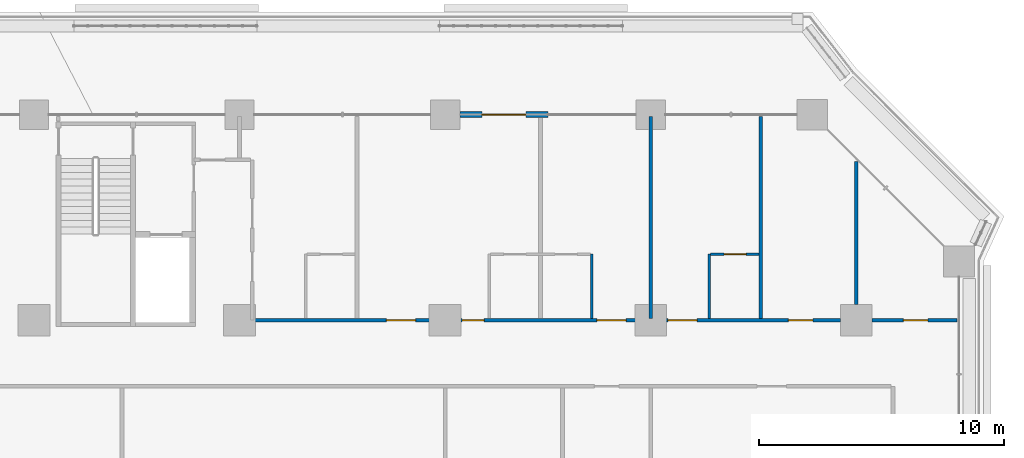
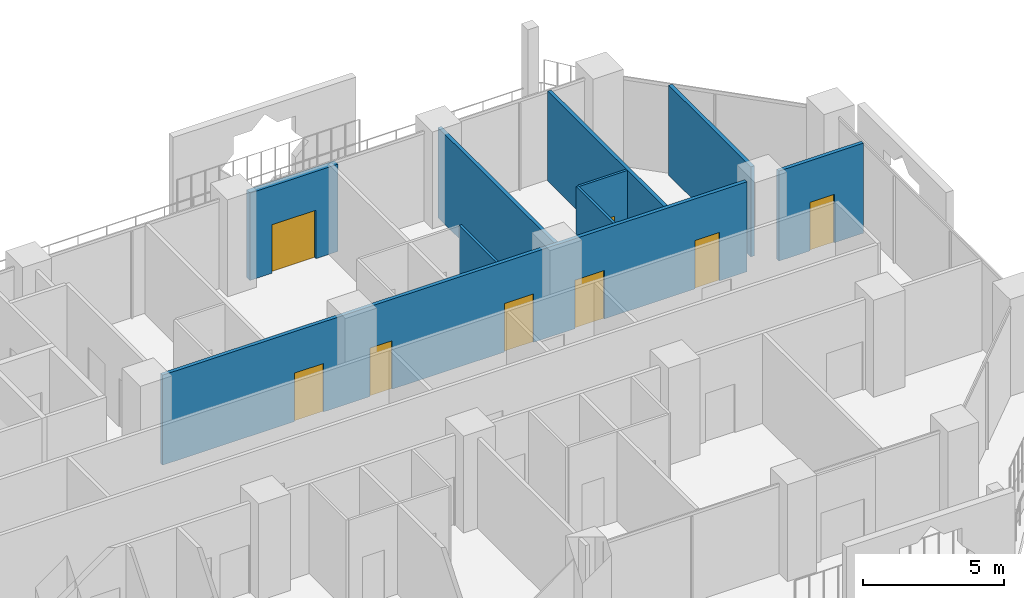
# One storey, part 19 of 28: 9 walls, 8 doors, 8 openings.
"""IFC4 building model written with IfcOpenShell, lengths in metres."""

from ifc_helpers import new_model, si_unit, direction, frame, frame_2d, origin, place, context, subcontext, project, spatial, rectangle, extrude, material, layer, layer_set, type_object, element, fill, save


model = new_model("IFC4")

# Units and contexts
model_context = context("Model", 3, precision=1e-05, world=origin(), true_north=direction((0.0, 1.0)))
body_context = subcontext(model_context, "Body", "Model", "MODEL_VIEW")
ifc_project = project(units=[si_unit("LENGTHUNIT", "METRE"), si_unit("AREAUNIT", "SQUARE_METRE"), si_unit("VOLUMEUNIT", "CUBIC_METRE"), si_unit("PLANEANGLEUNIT", "RADIAN"), si_unit("MASSUNIT", "GRAM", prefix="KILO")], contexts=[model_context])

# Site, building, storey
site_placement = place(None, origin())
site = spatial("IfcSite", under=ifc_project, at=site_placement, CompositionType="ELEMENT")
building_placement = place(site_placement, origin())
building = spatial("IfcBuilding", under=site, at=building_placement, Name="Kawkab Arch Medical Tower", CompositionType="ELEMENT")
storey_placement = place(building_placement, frame((0.0, 0.0, 56.0)))
storey = spatial("IfcBuildingStorey", under=building, at=storey_placement, Name="L12", CompositionType="ELEMENT", Elevation=56.0)

# Wall, opening, door
ifc_material_1 = material(Name="Bronze clad insulated wall panel")
ifc_layer_1 = layer(ifc_material_1, 0.25)
ifc_layer_set_1 = layer_set([ifc_layer_1], Name="Bronze clad insulated wall panel")
wall_type_1 = type_object("IfcWallType", Name="External wall bay 250", PredefinedType="SOLIDWALL", material=ifc_layer_set_1)
wall_1_placement = place(storey_placement, frame((63.0, 0.0, 0.0), z_axis=(0.0, 0.0, 1.0), x_axis=(-1.0, 0.0, 0.0)))
wall_1 = element("IfcWall", 1, at=wall_1_placement, inside=storey, type_object=wall_type_1, Name="External wall bay L12.R11.2.2", PredefinedType="SOLIDWALL", context=body_context, shape_type="SweptSolid", body=[
    extrude(rectangle(XDim=3.60009765625, YDim=0.25, at=frame_2d((1.800048828125, 0.0))), origin(), (0.0, 0.0, 1.0), 3.780029296875),
])
opening_1_placement = place(wall_1_placement, frame((0.89990234375, 0.0, 0.0)))
opening_1 = element("IfcOpeningElement", 2, at=opening_1_placement, cuts=wall_1, Name="Opening W12-702", PredefinedType="OPENING", context=body_context, shape_type="SweptSolid", body=[
    extrude(rectangle(XDim=1.800048828125, YDim=2.10009765625, at=frame_2d((0.89990234375, 1.050048828125))), frame((0.0, 0.135009765625, 0.0), z_axis=(0.0, -1.0, 0.0), x_axis=(1.0, 0.0, 0.0)), (0.0, 0.0, 1.0), 0.27001953125),
])
ifc_material_2 = material(Name="Bronze anodised aluminium door with tinted glass", Category="aluminium")
door_type_1 = type_object("IfcDoorType", Name="Double external door 1800 x 2100", OperationType="DOUBLE_DOOR_SINGLE_SWING", PredefinedType="DOOR", material=ifc_material_2)
door_1_placement = place(opening_1_placement, origin())
door_1 = element("IfcDoor", 3, at=door_1_placement, inside=storey, type_object=door_type_1, Name="External door L12.R11.2.2", OperationType="DOUBLE_DOOR_SINGLE_SWING", OverallHeight=2.10009765625, OverallWidth=1.800048828125, PredefinedType="DOOR", context=body_context, shape_type="SweptSolid", body=[
    extrude(rectangle(XDim=1.800048828125, YDim=2.10009765625, at=frame_2d((0.89990234375, 1.050048828125))), frame((0.0, 0.02490234375, 0.0), z_axis=(0.0, -1.0, 0.0), x_axis=(1.0, 0.0, 0.0)), (0.0, 0.0, 1.0), 0.050048828125),
])
fill(opening_1, door_1)

ifc_material_3 = material(Name="Gypsum board partition on steel studs", Category="steel")
ifc_layer_2 = layer(ifc_material_3, 0.10009765625)
ifc_layer_set_2 = layer_set([ifc_layer_2], Name="Gypsum board partition on steel studs")
wall_type_2 = type_object("IfcWallType", Name="Partition 100", PredefinedType="PARTITIONING", material=ifc_layer_set_2)
wall_2_placement = place(storey_placement, frame((69.64990234375, -5.699951171875, 0.0), z_axis=(0.0, 0.0, 1.0), x_axis=(1.0, 0.0, 0.0)))
wall_2 = element("IfcWall", 4, at=wall_2_placement, inside=storey, type_object=wall_type_2, Name="Partition 100 w018", PredefinedType="PARTITIONING", context=body_context, shape_type="SweptSolid", body=[
    extrude(rectangle(XDim=1.97509765625, YDim=0.10009765625, at=frame_2d((0.987548828125, 0.0))), origin(), (0.0, 0.0, 1.0), 3.89990234375),
])
opening_2_placement = place(wall_2_placement, frame((0.550048828125, 0.0, 0.0)))
opening_2 = element("IfcOpeningElement", 5, at=opening_2_placement, cuts=wall_2, Name="Opening W12-009", PredefinedType="OPENING", context=body_context, shape_type="SweptSolid", body=[
    extrude(rectangle(XDim=0.89990234375, YDim=2.10009765625, at=frame_2d((0.449951171875, 1.050048828125))), frame((0.0, 0.06005859375, 0.0), z_axis=(0.0, -1.0, 0.0), x_axis=(1.0, 0.0, 0.0)), (0.0, 0.0, 1.0), 0.1201171875),
])
ifc_material_4 = material(Name="Timber door leaf", Category="wood")
door_type_2 = type_object("IfcDoorType", Name="Single door 900x2100", OperationType="NOTDEFINED", PredefinedType="DOOR", material=ifc_material_4)
door_2_placement = place(opening_2_placement, origin())
door_2 = element("IfcDoor", 6, at=door_2_placement, inside=storey, type_object=door_type_2, Name="Door W12-009", OperationType="SINGLE_SWING_LEFT", OverallHeight=2.10009765625, OverallWidth=0.89990234375, PredefinedType="DOOR", context=body_context, shape_type="SweptSolid", body=[
    extrude(rectangle(XDim=0.89990234375, YDim=2.10009765625, at=frame_2d((0.449951171875, 1.050048828125))), frame((0.0, 0.02490234375, 0.0), z_axis=(0.0, -1.0, 0.0), x_axis=(1.0, 0.0, 0.0)), (0.0, 0.0, 1.0), 0.050048828125),
])
fill(opening_2, door_2)

# Walls
for number, where, z_axis, x_axis, name in (
    (7, (64.800048828125, -8.324951171875, 0.0), (0.0, 0.0, 1.0), (0.0, 1.0, 0.0), "Partition 100 w035"),
    (8, (69.60009765625, -8.324951171875, 0.0), (0.0, 0.0, 1.0), (0.0, 1.0, 0.0), "Partition 100 w037"),
):
    element("IfcWall", number, at=place(storey_placement, frame(where, z_axis=z_axis, x_axis=x_axis)), inside=storey, type_object=wall_type_2, Name=name, PredefinedType="PARTITIONING", context=body_context, shape_type="SweptSolid", body=[
        extrude(rectangle(XDim=2.625, YDim=0.10009765625, at=frame_2d((1.3125, 0.0))), origin(), (0.0, 0.0, 1.0), 3.89990234375),
    ])

# Wall, openings, doors
ifc_material_5 = material(Name="Gypsum board partition on steel studs, mineral wool", Category="steel")
ifc_layer_3 = layer(ifc_material_5, 0.14990234375)
ifc_layer_set_3 = layer_set([ifc_layer_3], Name="Gypsum board partition on steel studs, mineral wool")
wall_type_3 = type_object("IfcWallType", Name="Partition 150", PredefinedType="PARTITIONING", material=ifc_layer_set_3)
wall_3_placement = place(storey_placement, frame((51.0, -8.39990234375, 0.0), z_axis=(0.0, 0.0, 1.0), x_axis=(1.0, 0.0, 0.0)))
wall_3 = element("IfcWall", 9, at=wall_3_placement, inside=storey, type_object=wall_type_3, Name="Partition 150 w067", PredefinedType="PARTITIONING", context=body_context, shape_type="SweptSolid", body=[
    extrude(rectangle(XDim=23.949951171875, YDim=0.14990234375, at=frame_2d((11.97509765625, 0.0))), origin(), (0.0, 0.0, 1.0), 3.89990234375),
])
opening_3_placement = place(wall_3_placement, frame((5.39990234375, 0.0, 0.0)))
opening_3 = element("IfcOpeningElement", 10, at=opening_3_placement, cuts=wall_3, Name="Opening W12-050", PredefinedType="OPENING", context=body_context, shape_type="SweptSolid", body=[
    extrude(rectangle(XDim=1.199951171875, YDim=2.10009765625, at=frame_2d((0.60009765625, 1.050048828125))), frame((0.0, 0.0849609375, 0.0), z_axis=(0.0, -1.0, 0.0), x_axis=(1.0, 0.0, 0.0)), (0.0, 0.0, 1.0), 0.169921875),
])
opening_4_placement = place(wall_3_placement, frame((8.5, 0.0, 0.0)))
opening_4 = element("IfcOpeningElement", 11, at=opening_4_placement, cuts=wall_3, Name="Opening W12-025", PredefinedType="OPENING", context=body_context, shape_type="SweptSolid", body=[
    extrude(rectangle(XDim=0.89990234375, YDim=2.10009765625, at=frame_2d((0.449951171875, 1.050048828125))), frame((0.0, 0.0849609375, 0.0), z_axis=(0.0, -1.0, 0.0), x_axis=(1.0, 0.0, 0.0)), (0.0, 0.0, 1.0), 0.169921875),
])
opening_5_placement = place(wall_3_placement, frame((14.0, 0.0, 0.0)))
opening_5 = element("IfcOpeningElement", 12, at=opening_5_placement, cuts=wall_3, Name="Opening W12-051", PredefinedType="OPENING", context=body_context, shape_type="SweptSolid", body=[
    extrude(rectangle(XDim=1.199951171875, YDim=2.10009765625, at=frame_2d((0.60009765625, 1.050048828125))), frame((0.0, 0.0849609375, 0.0), z_axis=(0.0, -1.0, 0.0), x_axis=(1.0, 0.0, 0.0)), (0.0, 0.0, 1.0), 0.169921875),
])
opening_6_placement = place(wall_3_placement, frame((16.89990234375, 0.0, 0.0)))
opening_6 = element("IfcOpeningElement", 13, at=opening_6_placement, cuts=wall_3, Name="Opening W12-052", PredefinedType="OPENING", context=body_context, shape_type="SweptSolid", body=[
    extrude(rectangle(XDim=1.199951171875, YDim=2.10009765625, at=frame_2d((0.60009765625, 1.050048828125))), frame((0.0, 0.0849609375, 0.0), z_axis=(0.0, -1.0, 0.0), x_axis=(1.0, 0.0, 0.0)), (0.0, 0.0, 1.0), 0.169921875),
])
opening_7_placement = place(wall_3_placement, frame((21.824951171875, 0.0, 0.0)))
opening_7 = element("IfcOpeningElement", 14, at=opening_7_placement, cuts=wall_3, Name="Opening W12-030", PredefinedType="OPENING", context=body_context, shape_type="SweptSolid", body=[
    extrude(rectangle(XDim=1.0, YDim=2.10009765625, at=frame_2d((0.5, 1.050048828125))), frame((0.0, 0.0849609375, 0.0), z_axis=(0.0, -1.0, 0.0), x_axis=(1.0, 0.0, 0.0)), (0.0, 0.0, 1.0), 0.169921875),
])
ifc_material_6 = material(Name="Timber door leaf", Category="wood")
door_type_3 = type_object("IfcDoorType", Name="Single door 1000x2100", OperationType="NOTDEFINED", PredefinedType="DOOR", material=ifc_material_6)
door_3_placement = place(opening_7_placement, origin())
door_3 = element("IfcDoor", 15, at=door_3_placement, inside=storey, type_object=door_type_3, Name="Door W12-030", OperationType="SINGLE_SWING_RIGHT", OverallHeight=2.10009765625, OverallWidth=1.0, PredefinedType="DOOR", context=body_context, shape_type="SweptSolid", body=[
    extrude(rectangle(XDim=1.0, YDim=2.10009765625, at=frame_2d((0.5, 1.050048828125))), frame((0.0, 0.02490234375, 0.0), z_axis=(0.0, -1.0, 0.0), x_axis=(1.0, 0.0, 0.0)), (0.0, 0.0, 1.0), 0.050048828125),
])
fill(opening_7, door_3)
ifc_material_7 = material(Name="Hollow metal door leaf")
door_type_4 = type_object("IfcDoorType", Name="Single door 1200x2100 FD30S", OperationType="NOTDEFINED", PredefinedType="DOOR", material=ifc_material_7)
door_4_placement = place(opening_3_placement, origin())
door_4 = element("IfcDoor", 16, at=door_4_placement, inside=storey, type_object=door_type_4, Name="Door W12-050", OperationType="SINGLE_SWING_LEFT", OverallHeight=2.10009765625, OverallWidth=1.199951171875, PredefinedType="DOOR", context=body_context, shape_type="SweptSolid", body=[
    extrude(rectangle(XDim=1.199951171875, YDim=2.10009765625, at=frame_2d((0.60009765625, 1.050048828125))), frame((0.0, 0.02490234375, 0.0), z_axis=(0.0, -1.0, 0.0), x_axis=(1.0, 0.0, 0.0)), (0.0, 0.0, 1.0), 0.050048828125),
])
fill(opening_3, door_4)
door_5_placement = place(opening_5_placement, origin())
door_5 = element("IfcDoor", 17, at=door_5_placement, inside=storey, type_object=door_type_4, Name="Door W12-051", OperationType="SINGLE_SWING_RIGHT", OverallHeight=2.10009765625, OverallWidth=1.199951171875, PredefinedType="DOOR", context=body_context, shape_type="SweptSolid", body=[
    extrude(rectangle(XDim=1.199951171875, YDim=2.10009765625, at=frame_2d((0.60009765625, 1.050048828125))), frame((0.0, 0.02490234375, 0.0), z_axis=(0.0, -1.0, 0.0), x_axis=(1.0, 0.0, 0.0)), (0.0, 0.0, 1.0), 0.050048828125),
])
fill(opening_5, door_5)
door_6_placement = place(opening_6_placement, origin())
door_6 = element("IfcDoor", 18, at=door_6_placement, inside=storey, type_object=door_type_4, Name="Door W12-052", OperationType="SINGLE_SWING_RIGHT", OverallHeight=2.10009765625, OverallWidth=1.199951171875, PredefinedType="DOOR", context=body_context, shape_type="SweptSolid", body=[
    extrude(rectangle(XDim=1.199951171875, YDim=2.10009765625, at=frame_2d((0.60009765625, 1.050048828125))), frame((0.0, 0.02490234375, 0.0), z_axis=(0.0, -1.0, 0.0), x_axis=(1.0, 0.0, 0.0)), (0.0, 0.0, 1.0), 0.050048828125),
])
fill(opening_6, door_6)
ifc_material_8 = material(Name="Hollow metal door leaf")
door_type_5 = type_object("IfcDoorType", Name="Single door 900x2100 FD30S", OperationType="NOTDEFINED", PredefinedType="DOOR", material=ifc_material_8)
door_7_placement = place(opening_4_placement, origin())
door_7 = element("IfcDoor", 19, at=door_7_placement, inside=storey, type_object=door_type_5, Name="Door W12-025", OperationType="SINGLE_SWING_LEFT", OverallHeight=2.10009765625, OverallWidth=0.89990234375, PredefinedType="DOOR", context=body_context, shape_type="SweptSolid", body=[
    extrude(rectangle(XDim=0.89990234375, YDim=2.10009765625, at=frame_2d((0.449951171875, 1.050048828125))), frame((0.0, 0.02490234375, 0.0), z_axis=(0.0, -1.0, 0.0), x_axis=(1.0, 0.0, 0.0)), (0.0, 0.0, 1.0), 0.050048828125),
])
fill(opening_4, door_7)

# Wall, opening, door
wall_4_placement = place(storey_placement, frame((76.25, -8.39990234375, 0.0), z_axis=(0.0, 0.0, 1.0), x_axis=(1.0, 0.0, 0.0)))
wall_4 = element("IfcWall", 20, at=wall_4_placement, inside=storey, type_object=wall_type_3, Name="Partition 150 w068", PredefinedType="PARTITIONING", context=body_context, shape_type="SweptSolid", body=[
    extrude(rectangle(XDim=3.469970703125, YDim=0.14990234375, at=frame_2d((1.73486328125, 0.0))), origin(), (0.0, 0.0, 1.0), 3.89990234375),
])
opening_8_placement = place(wall_4_placement, frame((1.27490234375, 0.0, 0.0)))
opening_8 = element("IfcOpeningElement", 21, at=opening_8_placement, cuts=wall_4, Name="Opening W12-034", PredefinedType="OPENING", context=body_context, shape_type="SweptSolid", body=[
    extrude(rectangle(XDim=1.0, YDim=2.10009765625, at=frame_2d((0.5, 1.050048828125))), frame((0.0, 0.0849609375, 0.0), z_axis=(0.0, -1.0, 0.0), x_axis=(1.0, 0.0, 0.0)), (0.0, 0.0, 1.0), 0.169921875),
])
ifc_material_9 = material(Name="Hollow metal door leaf")
door_type_6 = type_object("IfcDoorType", Name="Single door 1000x2100 FD30S", OperationType="NOTDEFINED", PredefinedType="DOOR", material=ifc_material_9)
door_8_placement = place(opening_8_placement, origin())
door_8 = element("IfcDoor", 22, at=door_8_placement, inside=storey, type_object=door_type_6, Name="Door W12-034", OperationType="SINGLE_SWING_LEFT", OverallHeight=2.10009765625, OverallWidth=1.0, PredefinedType="DOOR", context=body_context, shape_type="SweptSolid", body=[
    extrude(rectangle(XDim=1.0, YDim=2.10009765625, at=frame_2d((0.5, 1.050048828125))), frame((0.0, 0.02490234375, 0.0), z_axis=(0.0, -1.0, 0.0), x_axis=(1.0, 0.0, 0.0)), (0.0, 0.0, 1.0), 0.050048828125),
])
fill(opening_8, door_8)

# Walls
for number, where, z_axis, x_axis, name in (
    (23, (67.199951171875, -8.324951171875, 0.0), (0.0, 0.0, 1.0), (0.0, 1.0, 0.0), "Partition 150 w102"),
    (24, (71.699951171875, -8.324951171875, 0.0), (0.0, 0.0, 1.0), (0.0, 1.0, 0.0), "Partition 150 w104"),
):
    element("IfcWall", number, at=place(storey_placement, frame(where, z_axis=z_axis, x_axis=x_axis)), inside=storey, type_object=wall_type_3, Name=name, PredefinedType="PARTITIONING", context=body_context, shape_type="SweptSolid", body=[
        extrude(rectangle(XDim=8.244873046875, YDim=0.14990234375, at=frame_2d((4.12255859375, 0.0))), origin(), (0.0, 0.0, 1.0), 3.89990234375),
    ])
wall_5_placement = place(storey_placement, frame((75.60009765625, -7.75, 0.0), z_axis=(0.0, 0.0, 1.0), x_axis=(0.0, 1.0, 0.0)))
element("IfcWall", 25, at=wall_5_placement, inside=storey, type_object=wall_type_3, Name="Partition 150 w105", PredefinedType="PARTITIONING", context=body_context, shape_type="SweptSolid", body=[
    extrude(rectangle(XDim=5.8369140625, YDim=0.14990234375, at=frame_2d((2.91845703125, 0.0))), origin(), (0.0, 0.0, 1.0), 3.89990234375),
])

save(model, "model.ifc")
